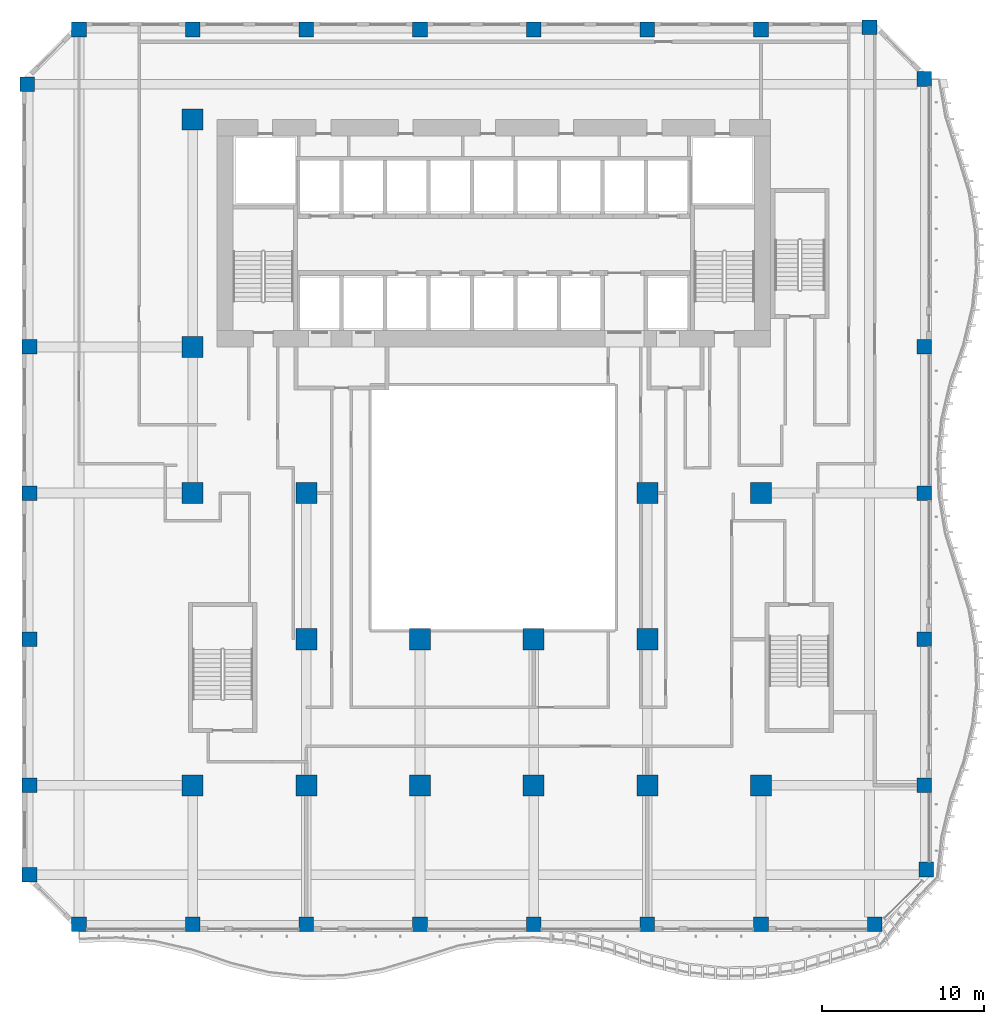
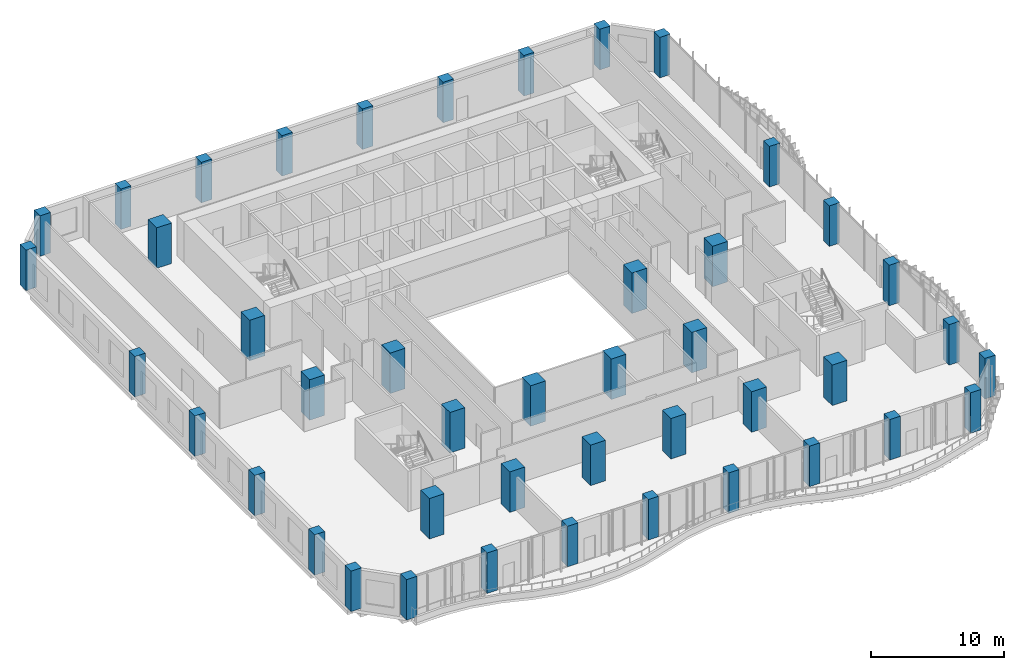
# One storey, part 1 of 25: 44 columns.
"""IFC4 building model written with IfcOpenShell, lengths in metres."""

from ifc_helpers import new_model, si_unit, direction, frame, origin, origin_2d, place, context, subcontext, project, spatial, rectangle, extrude, source, transform, mapped, material, material_profile, profile_set, type_object, element, save


model = new_model("IFC4")

# Units and contexts
model_context = context("Model", 3, precision=1e-05, world=origin(), true_north=direction((0.0, 1.0)))
body_context = subcontext(model_context, "Body", "Model", "MODEL_VIEW")
ifc_project = project(units=[si_unit("LENGTHUNIT", "METRE"), si_unit("AREAUNIT", "SQUARE_METRE"), si_unit("VOLUMEUNIT", "CUBIC_METRE"), si_unit("PLANEANGLEUNIT", "RADIAN"), si_unit("MASSUNIT", "GRAM", prefix="KILO")], contexts=[model_context])

# Site, building, storey
site_placement = place(None, origin())
site = spatial("IfcSite", under=ifc_project, at=site_placement, CompositionType="ELEMENT")
building_placement = place(site_placement, origin())
building = spatial("IfcBuilding", under=site, at=building_placement, Name="Kilnfold Tower and Market Hall", CompositionType="ELEMENT")
storey_placement = place(building_placement, frame((0.0, 0.0, 39.0)))
storey = spatial("IfcBuildingStorey", under=building, at=storey_placement, Name="L08", CompositionType="ELEMENT", Elevation=39.0)

# Columns
ifc_material_1 = material(Name="Concrete C80", Category="concrete")
ifc_material_profile_1 = material_profile(ifc_material_1, rectangle(XDim=0.89990234375, YDim=0.89990234375, at=origin_2d()), Name="RC 900x900")
ifc_profile_set_1 = profile_set([ifc_material_profile_1], Name="Concrete C80")
column_type_1 = type_object("IfcColumnType", Name="COLUMN 900X900 C80", PredefinedType="COLUMN", material=ifc_profile_set_1)
shared_shape_1 = source(origin(), body_context, "Body", "SweptSolid", [
    extrude(rectangle(XDim=0.89990234375, YDim=0.89990234375, at=origin_2d()), origin(), (0.0, 0.0, 1.0), 3.719970703125),
])
for number, where, z_axis, x_axis, name in (
    (1, (-27.681884765625, 24.181884765625, 0.0), (0.0, 0.0, 1.0), (1.0, 0.0, 0.0), "Column C-B1-1H"),
    (2, (-27.550048828125, -24.5, 0.0), (0.0, 0.0, 1.0), (1.0, 0.0, 0.0), "Column C-B1-1B"),
    (3, (-27.550048828125, -19.0, 0.0), (0.0, 0.0, 1.0), (1.0, 0.0, 0.0), "Column C-B1-1C"),
    (4, (-27.550048828125, -10.0, 0.0), (0.0, 0.0, 1.0), (1.0, 0.0, 0.0), "Column C-B1-1D"),
    (5, (-27.550048828125, -1.0, 0.0), (0.0, 0.0, 1.0), (1.0, 0.0, 0.0), "Column C-B1-1E"),
    (6, (-27.550048828125, 8.0, 0.0), (0.0, 0.0, 1.0), (1.0, 0.0, 0.0), "Column C-B1-1F"),
    (7, (-24.5, -27.550048828125, 0.0), (0.0, 0.0, 1.0), (1.0, 0.0, 0.0), "Column C-B1-2A"),
    (8, (-24.5, 27.550048828125, 0.0), (0.0, 0.0, 1.0), (1.0, 0.0, 0.0), "Column C-B1-2I"),
    (9, (-17.5, -27.550048828125, 0.0), (0.0, 0.0, 1.0), (1.0, 0.0, 0.0), "Column C-B1-3A"),
    (10, (-17.5, 27.550048828125, 0.0), (0.0, 0.0, 1.0), (1.0, 0.0, 0.0), "Column C-B1-3I"),
    (11, (-10.5, -27.550048828125, 0.0), (0.0, 0.0, 1.0), (1.0, 0.0, 0.0), "Column C-B1-4A"),
    (12, (-10.5, 27.550048828125, 0.0), (0.0, 0.0, 1.0), (1.0, 0.0, 0.0), "Column C-B1-4I"),
    (13, (-3.5, -27.550048828125, 0.0), (0.0, 0.0, 1.0), (1.0, 0.0, 0.0), "Column C-B1-5A"),
    (14, (-3.5, 27.550048828125, 0.0), (0.0, 0.0, 1.0), (1.0, 0.0, 0.0), "Column C-B1-5I"),
    (15, (3.5, -27.550048828125, 0.0), (0.0, 0.0, 1.0), (1.0, 0.0, 0.0), "Column C-B1-6A"),
    (16, (3.5, 27.550048828125, 0.0), (0.0, 0.0, 1.0), (1.0, 0.0, 0.0), "Column C-B1-6I"),
    (17, (10.5, -27.550048828125, 0.0), (0.0, 0.0, 1.0), (1.0, 0.0, 0.0), "Column C-B1-7A"),
    (18, (10.5, 27.550048828125, 0.0), (0.0, 0.0, 1.0), (1.0, 0.0, 0.0), "Column C-B1-7I"),
    (19, (17.5, -27.550048828125, 0.0), (0.0, 0.0, 1.0), (1.0, 0.0, 0.0), "Column C-B1-8A"),
    (20, (17.5, 27.550048828125, 0.0), (0.0, 0.0, 1.0), (1.0, 0.0, 0.0), "Column C-B1-8I"),
    (21, (24.181884765625, 27.681884765625, 0.0), (0.0, 0.0, 1.0), (1.0, 0.0, 0.0), "Column C-B1-9I"),
    (22, (24.5, -27.550048828125, 0.0), (0.0, 0.0, 1.0), (1.0, 0.0, 0.0), "Column C-B1-9A"),
    (23, (27.550048828125, -19.0, 0.0), (0.0, 0.0, 1.0), (1.0, 0.0, 0.0), "Column C-B1-10C"),
    (24, (27.550048828125, -10.0, 0.0), (0.0, 0.0, 1.0), (1.0, 0.0, 0.0), "Column C-B1-10D"),
    (25, (27.550048828125, -1.0, 0.0), (0.0, 0.0, 1.0), (1.0, 0.0, 0.0), "Column C-B1-10E"),
    (26, (27.550048828125, 8.0, 0.0), (0.0, 0.0, 1.0), (1.0, 0.0, 0.0), "Column C-B1-10F"),
    (27, (27.550048828125, 24.5, 0.0), (0.0, 0.0, 1.0), (1.0, 0.0, 0.0), "Column C-B1-10H"),
    (28, (27.681884765625, -24.181884765625, 0.0), (0.0, 0.0, 1.0), (1.0, 0.0, 0.0), "Column C-B1-10B"),
):
    element("IfcColumn", number, at=place(storey_placement, frame(where, z_axis=z_axis, x_axis=x_axis)), inside=storey, type_object=column_type_1, Name=name, PredefinedType="COLUMN", context=body_context, shape_type="MappedRepresentation", body=[
        mapped(shared_shape_1, transform((0.0, 0.0, 0.0))),
    ])
ifc_material_2 = material(Name="Concrete C80", Category="concrete")
ifc_material_profile_2 = material_profile(ifc_material_2, rectangle(XDim=1.300048828125, YDim=1.300048828125, at=origin_2d()), Name="RC 1300x1300")
ifc_profile_set_2 = profile_set([ifc_material_profile_2], Name="Concrete C80")
column_type_2 = type_object("IfcColumnType", Name="COLUMN 1300X1300 C80", PredefinedType="COLUMN", material=ifc_profile_set_2)
shared_shape_2 = source(origin(), body_context, "Body", "SweptSolid", [
    extrude(rectangle(XDim=1.300048828125, YDim=1.300048828125, at=origin_2d()), origin(), (0.0, 0.0, 1.0), 3.719970703125),
])
for number, where, z_axis, x_axis, name in (
    (29, (-17.5, -19.0, 0.0), (0.0, 0.0, 1.0), (1.0, 0.0, 0.0), "Column C-B1-3C"),
    (30, (-17.5, -1.0, 0.0), (0.0, 0.0, 1.0), (1.0, 0.0, 0.0), "Column C-B1-3E"),
    (31, (-17.5, 8.0, 0.0), (0.0, 0.0, 1.0), (1.0, 0.0, 0.0), "Column C-B1-3F"),
    (32, (-17.5, 22.0, 0.0), (0.0, 0.0, 1.0), (1.0, 0.0, 0.0), "Column C-B1-3G"),
    (33, (-10.5, -19.0, 0.0), (0.0, 0.0, 1.0), (1.0, 0.0, 0.0), "Column C-B1-4C"),
    (34, (-10.5, -10.0, 0.0), (0.0, 0.0, 1.0), (1.0, 0.0, 0.0), "Column C-B1-4D"),
    (35, (-10.5, -1.0, 0.0), (0.0, 0.0, 1.0), (1.0, 0.0, 0.0), "Column C-B1-4E"),
    (36, (-3.5, -19.0, 0.0), (0.0, 0.0, 1.0), (1.0, 0.0, 0.0), "Column C-B1-5C"),
    (37, (-3.5, -10.0, 0.0), (0.0, 0.0, 1.0), (1.0, 0.0, 0.0), "Column C-B1-5D"),
    (38, (3.5, -19.0, 0.0), (0.0, 0.0, 1.0), (1.0, 0.0, 0.0), "Column C-B1-6C"),
    (39, (3.5, -10.0, 0.0), (0.0, 0.0, 1.0), (1.0, 0.0, 0.0), "Column C-B1-6D"),
    (40, (10.5, -19.0, 0.0), (0.0, 0.0, 1.0), (1.0, 0.0, 0.0), "Column C-B1-7C"),
    (41, (10.5, -10.0, 0.0), (0.0, 0.0, 1.0), (1.0, 0.0, 0.0), "Column C-B1-7D"),
    (42, (10.5, -1.0, 0.0), (0.0, 0.0, 1.0), (1.0, 0.0, 0.0), "Column C-B1-7E"),
    (43, (17.5, -19.0, 0.0), (0.0, 0.0, 1.0), (1.0, 0.0, 0.0), "Column C-B1-8C"),
    (44, (17.5, -1.0, 0.0), (0.0, 0.0, 1.0), (1.0, 0.0, 0.0), "Column C-B1-8E"),
):
    element("IfcColumn", number, at=place(storey_placement, frame(where, z_axis=z_axis, x_axis=x_axis)), inside=storey, type_object=column_type_2, Name=name, PredefinedType="COLUMN", context=body_context, shape_type="MappedRepresentation", body=[
        mapped(shared_shape_2, transform((0.0, 0.0, 0.0))),
    ])

save(model, "model.ifc")
